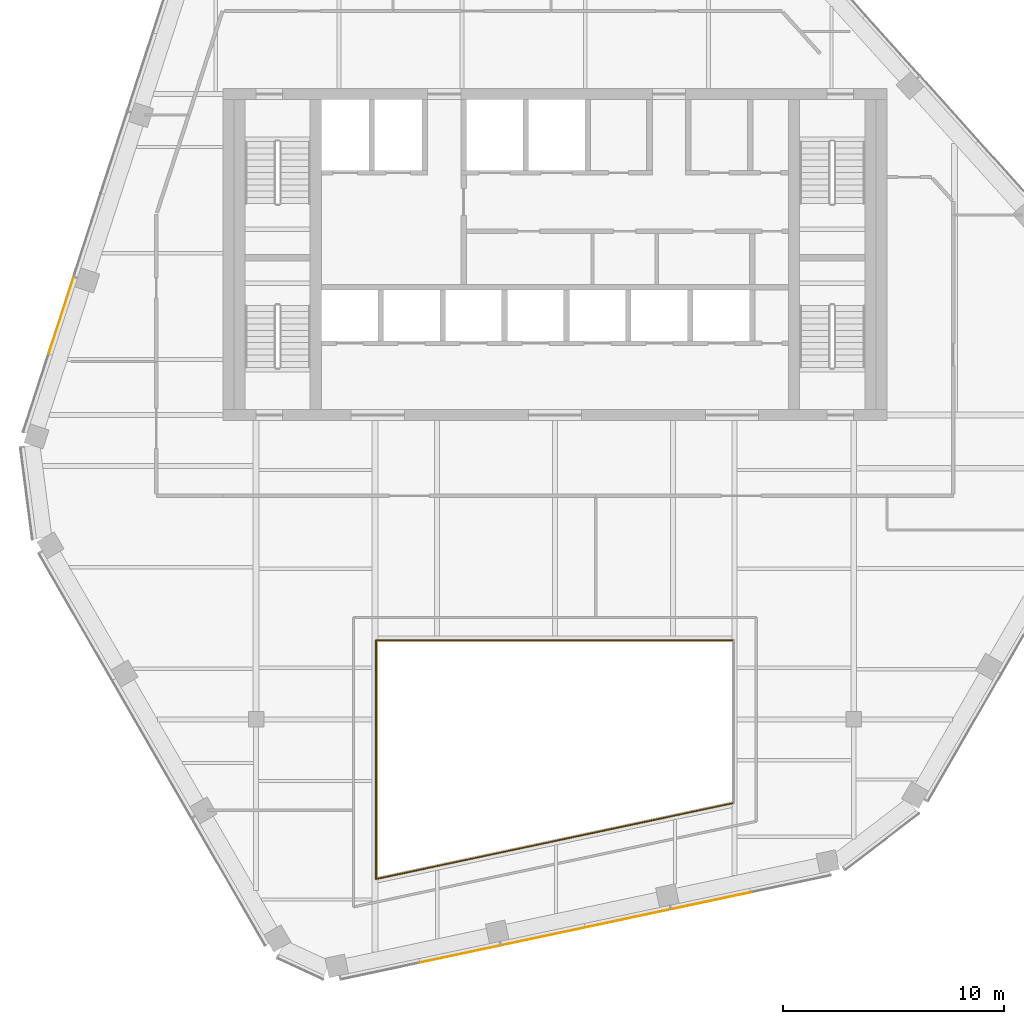
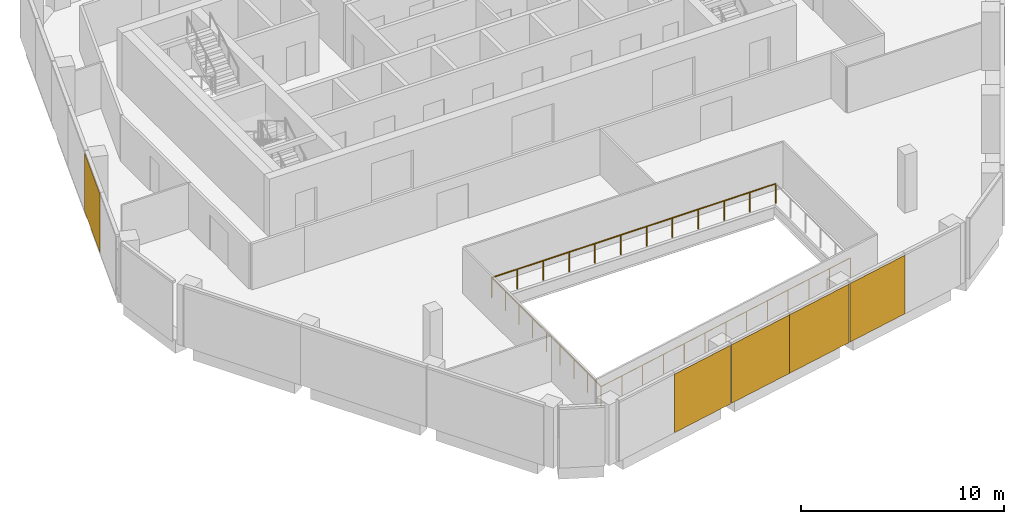
# One storey, part 11 of 15: 5 coverings, 3 railings, 2 elements without a shape of their own.
"""IFC4 building model written with IfcOpenShell, lengths in metres."""

from ifc_helpers import new_model, si_unit, direction, frame, origin, origin_2d, place, context, subcontext, project, spatial, rectangle, circle, extrude, material, layer, layer_set, type_object, element, aggregate, save


model = new_model("IFC4")

# Units and contexts
model_context = context("Model", 3, precision=1e-05, world=origin(), true_north=direction((0.0, 1.0)))
body_context = subcontext(model_context, "Body", "Model", "MODEL_VIEW")
ifc_project = project(units=[si_unit("LENGTHUNIT", "METRE"), si_unit("AREAUNIT", "SQUARE_METRE"), si_unit("VOLUMEUNIT", "CUBIC_METRE"), si_unit("PLANEANGLEUNIT", "RADIAN"), si_unit("MASSUNIT", "GRAM", prefix="KILO")], contexts=[model_context])

# Site, building, storey
site_placement = place(None, origin())
site = spatial("IfcSite", under=ifc_project, at=site_placement, CompositionType="ELEMENT")
building_placement = place(site_placement, origin())
building = spatial("IfcBuilding", under=site, at=building_placement, Name="Isthmus Gate Tower", CompositionType="ELEMENT")
storey_placement = place(building_placement, frame((0.0, 0.0, 286.5)))
storey = spatial("IfcBuildingStorey", under=building, at=storey_placement, Name="L73", CompositionType="ELEMENT", Elevation=286.5)

# Railings
ifc_material_1 = material(Name="Laminated toughened glass balustrade with steel rail", Category="steel")
railing_type = type_object("IfcRailingType", Name="ATRIUM GUARD GLASS BALUSTRADE 1200", PredefinedType="GUARDRAIL", material=ifc_material_1)
railing_1_placement = place(storey_placement, frame((-8.080078125, -20.7099609375, 0.0)))
element("IfcRailing", 1, at=railing_1_placement, inside=storey, type_object=railing_type, Name="L73 atrium guard", PredefinedType="GUARDRAIL", context=body_context, shape_type="SweptSolid", body=[
    extrude(circle(Radius=0.02490234375, at=origin_2d()), frame((0.0, 0.0, 1.1748046875), z_axis=(0.0, 1.0, 0.0), x_axis=(-1.0, 0.0, 0.0)), (0.0, 0.0, 1.0), 10.7900390625),
    extrude(circle(Radius=0.02490234375, at=origin_2d()), origin(), (0.0, 0.0, 1.0), 1.14990234375),
    extrude(circle(Radius=0.02490234375, at=origin_2d()), frame((0.0, 1.3486328125, 0.0)), (0.0, 0.0, 1.0), 1.14990234375),
    extrude(circle(Radius=0.02490234375, at=origin_2d()), frame((0.0, 2.697509765625, 0.0)), (0.0, 0.0, 1.0), 1.14990234375),
    extrude(circle(Radius=0.02490234375, at=origin_2d()), frame((0.0, 4.04638671875, 0.0)), (0.0, 0.0, 1.0), 1.14990234375),
    extrude(circle(Radius=0.02490234375, at=origin_2d()), frame((0.0, 5.39501953125, 0.0)), (0.0, 0.0, 1.0), 1.14990234375),
    extrude(circle(Radius=0.02490234375, at=origin_2d()), frame((0.0, 6.74365234375, 0.0)), (0.0, 0.0, 1.0), 1.14990234375),
    extrude(circle(Radius=0.02490234375, at=origin_2d()), frame((0.0, 8.092529296875, 0.0)), (0.0, 0.0, 1.0), 1.14990234375),
    extrude(circle(Radius=0.02490234375, at=origin_2d()), frame((0.0, 9.44140625, 0.0)), (0.0, 0.0, 1.0), 1.14990234375),
    extrude(circle(Radius=0.02490234375, at=origin_2d()), frame((0.0, 10.7900390625, 0.0)), (0.0, 0.0, 1.0), 1.14990234375),
])
railing_2_placement = place(storey_placement, frame((-8.080078125, -9.919921875, 0.0)))
element("IfcRailing", 2, at=railing_2_placement, inside=storey, type_object=railing_type, Name="L73 atrium guard", PredefinedType="GUARDRAIL", context=body_context, shape_type="SweptSolid", body=[
    extrude(circle(Radius=0.02490234375, at=origin_2d()), frame((0.0, 0.0, 1.1748046875), z_axis=(1.0, 0.0, 0.0), x_axis=(0.0, 1.0, 0.0)), (0.0, 0.0, 1.0), 16.16015625),
    extrude(circle(Radius=0.02490234375, at=origin_2d()), origin(), (0.0, 0.0, 1.0), 1.14990234375),
    extrude(circle(Radius=0.02490234375, at=origin_2d()), frame((1.468994140625, 0.0, 0.0)), (0.0, 0.0, 1.0), 1.14990234375),
    extrude(circle(Radius=0.02490234375, at=origin_2d()), frame((2.938232421875, 0.0, 0.0)), (0.0, 0.0, 1.0), 1.14990234375),
    extrude(circle(Radius=0.02490234375, at=origin_2d()), frame((4.4072265625, 0.0, 0.0)), (0.0, 0.0, 1.0), 1.14990234375),
    extrude(circle(Radius=0.02490234375, at=origin_2d()), frame((5.87646484375, 0.0, 0.0)), (0.0, 0.0, 1.0), 1.14990234375),
    extrude(circle(Radius=0.02490234375, at=origin_2d()), frame((7.345458984375, 0.0, 0.0)), (0.0, 0.0, 1.0), 1.14990234375),
    extrude(circle(Radius=0.02490234375, at=origin_2d()), frame((8.814697265625, 0.0, 0.0)), (0.0, 0.0, 1.0), 1.14990234375),
    extrude(circle(Radius=0.02490234375, at=origin_2d()), frame((10.28369140625, 0.0, 0.0)), (0.0, 0.0, 1.0), 1.14990234375),
    extrude(circle(Radius=0.02490234375, at=origin_2d()), frame((11.7529296875, 0.0, 0.0)), (0.0, 0.0, 1.0), 1.14990234375),
    extrude(circle(Radius=0.02490234375, at=origin_2d()), frame((13.221923828125, 0.0, 0.0)), (0.0, 0.0, 1.0), 1.14990234375),
    extrude(circle(Radius=0.02490234375, at=origin_2d()), frame((14.691162109375, 0.0, 0.0)), (0.0, 0.0, 1.0), 1.14990234375),
    extrude(circle(Radius=0.02490234375, at=origin_2d()), frame((16.16015625, 0.0, 0.0)), (0.0, 0.0, 1.0), 1.14990234375),
])
railing_3_placement = place(storey_placement, frame((8.080078125, -17.27490234375, 0.0)))
element("IfcRailing", 3, at=railing_3_placement, inside=storey, type_object=railing_type, Name="L73 atrium guard", PredefinedType="GUARDRAIL", context=body_context, shape_type="SweptSolid", body=[
    extrude(circle(Radius=0.02490234375, at=origin_2d()), frame((0.0, 0.0, 1.1748046875), z_axis=(-0.978146230105, -0.207918139013, 0.0), x_axis=(0.207918139013, -0.978146230105, 0.0)), (0.0, 0.0, 1.0), 16.521240234375),
    extrude(circle(Radius=0.02490234375, at=origin_2d()), origin(), (0.0, 0.0, 1.0), 1.14990234375),
    extrude(circle(Radius=0.02490234375, at=origin_2d()), frame((-1.3466796875, -0.2861328125, 0.0)), (0.0, 0.0, 1.0), 1.14990234375),
    extrude(circle(Radius=0.02490234375, at=origin_2d()), frame((-2.693359375, -0.572509765625, 0.0)), (0.0, 0.0, 1.0), 1.14990234375),
    extrude(circle(Radius=0.02490234375, at=origin_2d()), frame((-4.0400390625, -0.85888671875, 0.0)), (0.0, 0.0, 1.0), 1.14990234375),
    extrude(circle(Radius=0.02490234375, at=origin_2d()), frame((-5.38671875, -1.14501953125, 0.0)), (0.0, 0.0, 1.0), 1.14990234375),
    extrude(circle(Radius=0.02490234375, at=origin_2d()), frame((-6.7333984375, -1.43115234375, 0.0)), (0.0, 0.0, 1.0), 1.14990234375),
    extrude(circle(Radius=0.02490234375, at=origin_2d()), frame((-8.080078125, -1.717529296875, 0.0)), (0.0, 0.0, 1.0), 1.14990234375),
    extrude(circle(Radius=0.02490234375, at=origin_2d()), frame((-9.4267578125, -2.00390625, 0.0)), (0.0, 0.0, 1.0), 1.14990234375),
    extrude(circle(Radius=0.02490234375, at=origin_2d()), frame((-10.7734375, -2.2900390625, 0.0)), (0.0, 0.0, 1.0), 1.14990234375),
    extrude(circle(Radius=0.02490234375, at=origin_2d()), frame((-12.1201171875, -2.576171875, 0.0)), (0.0, 0.0, 1.0), 1.14990234375),
    extrude(circle(Radius=0.02490234375, at=origin_2d()), frame((-13.466796875, -2.862548828125, 0.0)), (0.0, 0.0, 1.0), 1.14990234375),
    extrude(circle(Radius=0.02490234375, at=origin_2d()), frame((-14.8134765625, -3.14892578125, 0.0)), (0.0, 0.0, 1.0), 1.14990234375),
    extrude(circle(Radius=0.02490234375, at=origin_2d()), frame((-16.16015625, -3.43505859375, 0.0)), (0.0, 0.0, 1.0), 1.14990234375),
])

# Curtain wall, covering
ifc_material_2 = material(Name="Aluminium, pale champagne anodised", Category="aluminium")
ifc_layer_1 = layer(ifc_material_2, 0.199951171875)
ifc_layer_set_1 = layer_set([ifc_layer_1], Name="CW-1 UNITISED CURTAIN WALL 200 DEEP")
curtain_wall_type = type_object("IfcCurtainWallType", Name="CW-1 UNITISED CURTAIN WALL 200 DEEP", PredefinedType="NOTDEFINED", material=ifc_layer_set_1)
curtain_wall_1_placement = place(storey_placement, origin())
curtain_wall_1 = element("IfcCurtainWall", 4, at=curtain_wall_1_placement, inside=storey, type_object=curtain_wall_type, Name="CW-1 NW L73", PredefinedType="NOTDEFINED")
ifc_material_3 = material(Name="Aluminium composite panel, pale champagne anodised", Category="aluminium")
ifc_layer_2 = layer(ifc_material_3, 0.031982421875)
ifc_layer_set_2 = layer_set([ifc_layer_2], Name="CW-1 PALE METAL PANEL 32")
covering_type = type_object("IfcCoveringType", Name="CW-1 PALE METAL PANEL 32", PredefinedType="CLADDING", material=ifc_layer_set_2)
covering_1_placement = place(storey_placement, frame((-22.309326171875, 4.737548828125, 0.0), z_axis=(0.0, 0.0, 1.0), x_axis=(-0.309016994375, -0.951056516295, 0.0)))
covering_1 = element("IfcCovering", 5, at=covering_1_placement, type_object=covering_type, Name="CW-1 pale metal panel", PredefinedType="CLADDING", context=body_context, shape_type="SweptSolid", body=[
    extrude(rectangle(XDim=3.643310546875, YDim=0.031982421875, at=origin_2d()), origin(), (0.0, 0.0, 1.0), 3.52001953125),
])
aggregate(curtain_wall_1, [covering_1])

# Curtain wall, coverings
curtain_wall_2_placement = place(storey_placement, origin())
curtain_wall_2 = element("IfcCurtainWall", 6, at=curtain_wall_2_placement, inside=storey, type_object=curtain_wall_type, Name="CW-1 S L73", PredefinedType="NOTDEFINED")
covering_2_placement = place(storey_placement, frame((-4.28515625, -24.098876953125, 0.0), z_axis=(0.0, 0.0, 1.0), x_axis=(0.978147600734, 0.207911690818, 0.0)))
covering_2 = element("IfcCovering", 7, at=covering_2_placement, type_object=covering_type, Name="CW-1 pale metal panel", PredefinedType="CLADDING", context=body_context, shape_type="SweptSolid", body=[
    extrude(rectangle(XDim=3.703369140625, YDim=0.031982421875, at=origin_2d()), origin(), (0.0, 0.0, 1.0), 3.52001953125),
])
covering_3_placement = place(storey_placement, frame((-0.5234375, -23.29931640625, 0.0), z_axis=(0.0, 0.0, 1.0), x_axis=(0.978147600734, 0.207911690818, 0.0)))
covering_3 = element("IfcCovering", 8, at=covering_3_placement, type_object=covering_type, Name="CW-1 pale metal panel", PredefinedType="CLADDING", context=body_context, shape_type="SweptSolid", body=[
    extrude(rectangle(XDim=3.868408203125, YDim=0.031982421875, at=origin_2d()), origin(), (0.0, 0.0, 1.0), 3.52001953125),
])
covering_4_placement = place(storey_placement, frame((3.289794921875, -22.48876953125, 0.0), z_axis=(0.0, 0.0, 1.0), x_axis=(0.978147600734, 0.207911690818, 0.0)))
covering_4 = element("IfcCovering", 9, at=covering_4_placement, type_object=covering_type, Name="CW-1 pale metal panel", PredefinedType="CLADDING", context=body_context, shape_type="SweptSolid", body=[
    extrude(rectangle(XDim=3.928466796875, YDim=0.031982421875, at=origin_2d()), origin(), (0.0, 0.0, 1.0), 3.52001953125),
])
covering_5_placement = place(storey_placement, frame((7.0517578125, -21.689208984375, 0.0), z_axis=(0.0, 0.0, 1.0), x_axis=(0.978147600734, 0.207911690818, 0.0)))
covering_5 = element("IfcCovering", 10, at=covering_5_placement, type_object=covering_type, Name="CW-1 pale metal panel", PredefinedType="CLADDING", context=body_context, shape_type="SweptSolid", body=[
    extrude(rectangle(XDim=3.643310546875, YDim=0.031982421875, at=origin_2d()), origin(), (0.0, 0.0, 1.0), 3.52001953125),
])
aggregate(curtain_wall_2, [covering_2, covering_3, covering_4, covering_5])

save(model, "model.ifc")
